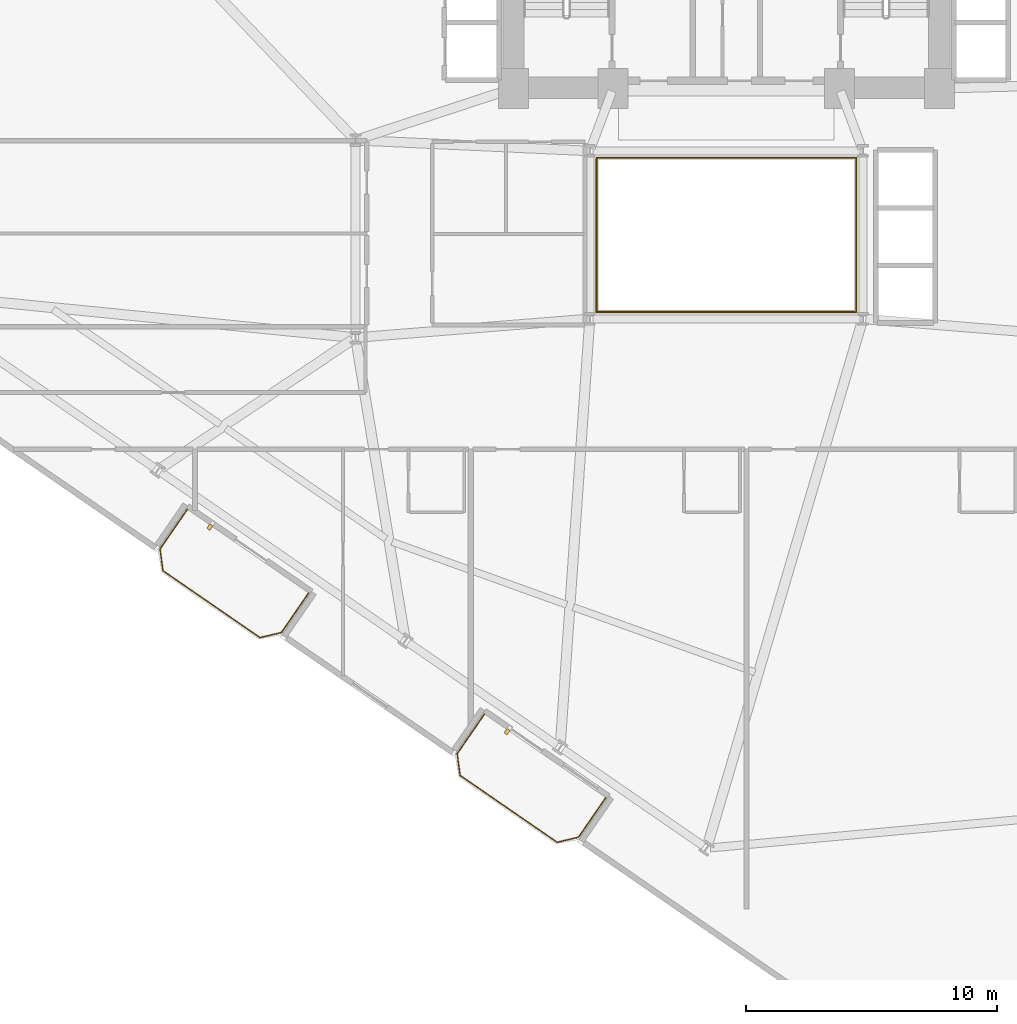
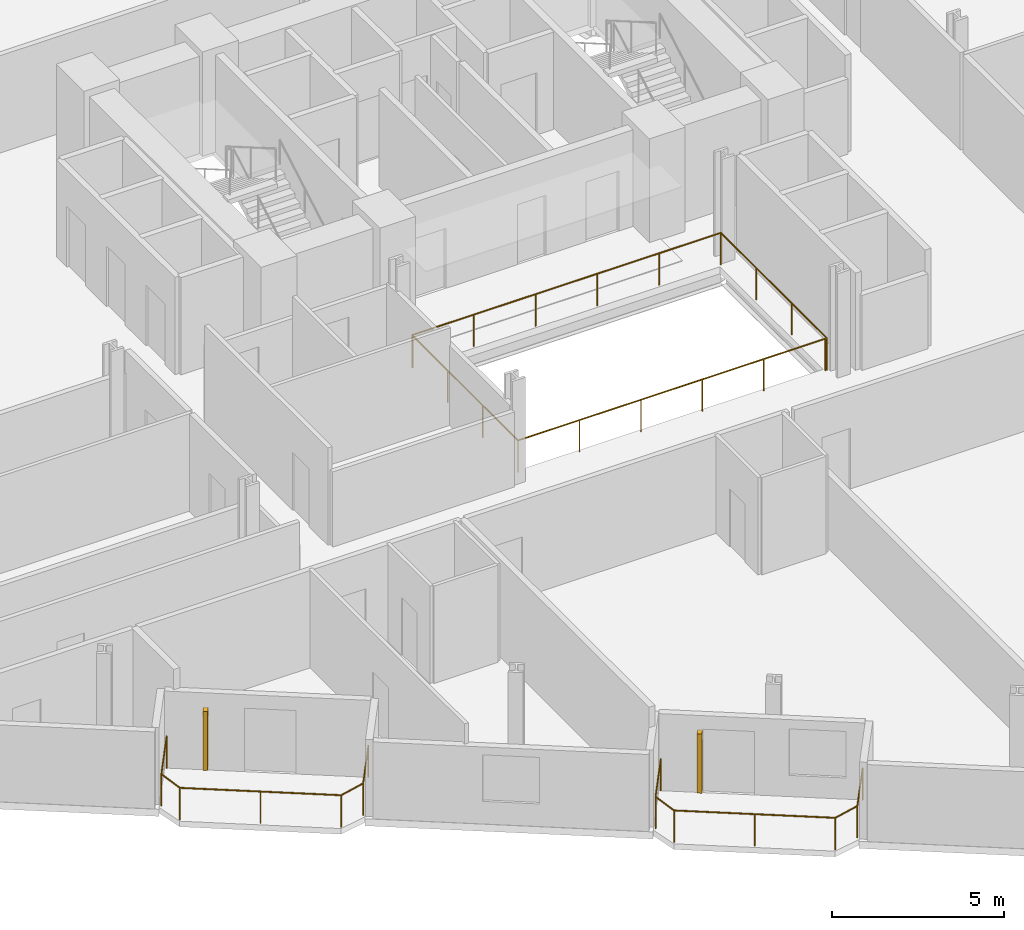
# One storey, part 24 of 26: 4 railings, 2 shading devices.
"""IFC4 building model written with IfcOpenShell, lengths in metres."""

from ifc_helpers import new_model, si_unit, direction, frame, origin, origin_2d, place, context, subcontext, project, spatial, rectangle, circle, extrude, source, transform, mapped, material, type_object, element, save


model = new_model("IFC4")

# Units and contexts
model_context = context("Model", 3, precision=1e-05, world=origin(), true_north=direction((0.0, 1.0)))
body_context = subcontext(model_context, "Body", "Model", "MODEL_VIEW")
ifc_project = project(units=[si_unit("LENGTHUNIT", "METRE"), si_unit("AREAUNIT", "SQUARE_METRE"), si_unit("VOLUMEUNIT", "CUBIC_METRE"), si_unit("PLANEANGLEUNIT", "RADIAN"), si_unit("MASSUNIT", "GRAM", prefix="KILO")], contexts=[model_context])

# Site, building, storey
site_placement = place(None, origin())
site = spatial("IfcSite", under=ifc_project, at=site_placement, CompositionType="ELEMENT")
building_placement = place(site_placement, origin())
building = spatial("IfcBuilding", under=site, at=building_placement, Name="Varnelok Gate Tower", CompositionType="ELEMENT")
storey_placement = place(building_placement, frame((0.0, 0.0, 45.5)))
storey = spatial("IfcBuildingStorey", under=building, at=storey_placement, Name="L10", CompositionType="ELEMENT", Elevation=45.5)

# Railings
ifc_material_1 = material(Name="Tempered Laminated Balustrade Glass", Category="glass")
railing_type_1 = type_object("IfcRailingType", Name="RL-ATR-GUARD1150", PredefinedType="GUARDRAIL", material=ifc_material_1)
railing_1_placement = place(storey_placement, frame((34.02001953125, 25.929931640625, 0.0)))
element("IfcRailing", 1, at=railing_1_placement, inside=storey, type_object=railing_type_1, Name="L10 Internal Atrium South-West Guardrail", PredefinedType="GUARDRAIL", context=body_context, shape_type="SweptSolid", body=[
    extrude(circle(Radius=0.02392578125, at=origin_2d()), frame((0.0, 0.0, 1.1259765625), z_axis=(0.0, -1.0, 0.0), x_axis=(1.0, 0.0, 0.0)), (0.0, 0.0, 1.0), 6.10986328125),
    extrude(circle(Radius=0.02392578125, at=origin_2d()), frame((0.0, -6.10986328125, 1.1259765625), z_axis=(1.0, 0.0, 0.0), x_axis=(0.0, 1.0, 0.0)), (0.0, 0.0, 1.0), 10.31005859375),
    extrude(circle(Radius=0.02099609375, at=origin_2d()), origin(), (0.0, 0.0, 1.0), 1.101806640625),
    extrude(circle(Radius=0.02099609375, at=origin_2d()), frame((0.0, -2.03662109375, 0.0)), (0.0, 0.0, 1.0), 1.101806640625),
    extrude(circle(Radius=0.02099609375, at=origin_2d()), frame((0.0, -4.0732421875, 0.0)), (0.0, 0.0, 1.0), 1.101806640625),
    extrude(circle(Radius=0.02099609375, at=origin_2d()), frame((0.0, -6.10986328125, 0.0)), (0.0, 0.0, 1.0), 1.101806640625),
    extrude(circle(Radius=0.02099609375, at=origin_2d()), frame((2.06201171875, -6.10986328125, 0.0)), (0.0, 0.0, 1.0), 1.101806640625),
    extrude(circle(Radius=0.02099609375, at=origin_2d()), frame((4.1240234375, -6.10986328125, 0.0)), (0.0, 0.0, 1.0), 1.101806640625),
    extrude(circle(Radius=0.02099609375, at=origin_2d()), frame((6.18603515625, -6.10986328125, 0.0)), (0.0, 0.0, 1.0), 1.101806640625),
    extrude(circle(Radius=0.02099609375, at=origin_2d()), frame((8.248046875, -6.10986328125, 0.0)), (0.0, 0.0, 1.0), 1.101806640625),
    extrude(circle(Radius=0.02099609375, at=origin_2d()), frame((10.31005859375, -6.10986328125, 0.0)), (0.0, 0.0, 1.0), 1.101806640625),
])
railing_2_placement = place(storey_placement, frame((44.3798828125, 19.820068359375, 0.0)))
element("IfcRailing", 2, at=railing_2_placement, inside=storey, type_object=railing_type_1, Name="L10 Internal Atrium North-East Guardrail", PredefinedType="GUARDRAIL", context=body_context, shape_type="SweptSolid", body=[
    extrude(circle(Radius=0.02392578125, at=origin_2d()), frame((0.0, 0.0, 1.1259765625), z_axis=(0.0, 1.0, 0.0), x_axis=(-1.0, 0.0, 0.0)), (0.0, 0.0, 1.0), 6.159912109375),
    extrude(circle(Radius=0.02392578125, at=origin_2d()), frame((0.0, 6.159912109375, 1.1259765625), z_axis=(-1.0, 0.0, 0.0), x_axis=(0.0, -1.0, 0.0)), (0.0, 0.0, 1.0), 10.35986328125),
    extrude(circle(Radius=0.02099609375, at=origin_2d()), origin(), (0.0, 0.0, 1.0), 1.101806640625),
    extrude(circle(Radius=0.02099609375, at=origin_2d()), frame((0.0, 2.05322265625, 0.0)), (0.0, 0.0, 1.0), 1.101806640625),
    extrude(circle(Radius=0.02099609375, at=origin_2d()), frame((0.0, 4.106689453125, 0.0)), (0.0, 0.0, 1.0), 1.101806640625),
    extrude(circle(Radius=0.02099609375, at=origin_2d()), frame((0.0, 6.159912109375, 0.0)), (0.0, 0.0, 1.0), 1.101806640625),
    extrude(circle(Radius=0.02099609375, at=origin_2d()), frame((-2.072021484375, 6.159912109375, 0.0)), (0.0, 0.0, 1.0), 1.101806640625),
    extrude(circle(Radius=0.02099609375, at=origin_2d()), frame((-4.14404296875, 6.159912109375, 0.0)), (0.0, 0.0, 1.0), 1.101806640625),
    extrude(circle(Radius=0.02099609375, at=origin_2d()), frame((-6.2158203125, 6.159912109375, 0.0)), (0.0, 0.0, 1.0), 1.101806640625),
    extrude(circle(Radius=0.02099609375, at=origin_2d()), frame((-8.287841796875, 6.159912109375, 0.0)), (0.0, 0.0, 1.0), 1.101806640625),
    extrude(circle(Radius=0.02099609375, at=origin_2d()), frame((-10.35986328125, 6.159912109375, 0.0)), (0.0, 0.0, 1.0), 1.101806640625),
])
ifc_material_2 = material(Name="Low-E Laminated Double Glazing IGU", Category="glass")
railing_type_2 = type_object("IfcRailingType", Name="RL-BALC-1150", PredefinedType="BALUSTRADE", material=ifc_material_2)
railing_3_placement = place(storey_placement, frame((17.688720703125, 11.9462890625, 0.0)))
element("IfcRailing", 3, at=railing_3_placement, inside=storey, type_object=railing_type_2, Name="L10 South Terrace Balustrade 1", PredefinedType="BALUSTRADE", context=body_context, shape_type="SweptSolid", body=[
    extrude(circle(Radius=0.02392578125, at=origin_2d()), frame((0.0, 0.0, 1.1259765625), z_axis=(-0.567224752248, -0.823563039747, 0.0), x_axis=(0.823563039747, -0.567224752248, 0.0)), (0.0, 0.0, 1.0), 1.920166015625),
    extrude(circle(Radius=0.02392578125, at=origin_2d()), frame((-1.089111328125, -1.581298828125, 1.1259765625), z_axis=(0.133511834152, -0.991047218926, 0.0), x_axis=(0.991047218926, 0.133511834152, 0.0)), (0.0, 0.0, 1.0), 0.877685546875),
    extrude(circle(Radius=0.02392578125, at=origin_2d()), frame((-0.971923828125, -2.451171875, 1.1259765625), z_axis=(0.823523239622, -0.567282534371, 0.0), x_axis=(0.567282534371, 0.823523239622, 0.0)), (0.0, 0.0, 1.0), 4.699951171875),
    extrude(circle(Radius=0.02392578125, at=origin_2d()), frame((2.898681640625, -5.117431640625, 1.1259765625), z_axis=(0.973573806257, 0.228372598553, 0.0), x_axis=(-0.228372598553, 0.973573806257, 0.0)), (0.0, 0.0, 1.0), 0.877685546875),
    extrude(circle(Radius=0.02392578125, at=origin_2d()), frame((3.753173828125, -4.9169921875, 1.1259765625), z_axis=(0.567224752248, 0.823563039747, 0.0), x_axis=(-0.823563039747, 0.567224752248, 0.0)), (0.0, 0.0, 1.0), 1.920166015625),
    extrude(circle(Radius=0.02099609375, at=origin_2d()), origin(), (0.0, 0.0, 1.0), 1.101806640625),
    extrude(circle(Radius=0.02099609375, at=origin_2d()), frame((-1.089111328125, -1.581298828125, 0.0)), (0.0, 0.0, 1.0), 1.101806640625),
    extrude(circle(Radius=0.02099609375, at=origin_2d()), frame((-0.971923828125, -2.451171875, 0.0)), (0.0, 0.0, 1.0), 1.101806640625),
    extrude(circle(Radius=0.02099609375, at=origin_2d()), frame((0.96337890625, -3.7841796875, 0.0)), (0.0, 0.0, 1.0), 1.101806640625),
    extrude(circle(Radius=0.02099609375, at=origin_2d()), frame((2.898681640625, -5.117431640625, 0.0)), (0.0, 0.0, 1.0), 1.101806640625),
    extrude(circle(Radius=0.02099609375, at=origin_2d()), frame((3.753173828125, -4.9169921875, 0.0)), (0.0, 0.0, 1.0), 1.101806640625),
    extrude(circle(Radius=0.02099609375, at=origin_2d()), frame((4.84228515625, -3.335693359375, 0.0)), (0.0, 0.0, 1.0), 1.101806640625),
])
railing_4_placement = place(storey_placement, frame((29.547607421875, 3.777587890625, 0.0)))
element("IfcRailing", 4, at=railing_4_placement, inside=storey, type_object=railing_type_2, Name="L10 South Terrace Balustrade 2", PredefinedType="BALUSTRADE", context=body_context, shape_type="SweptSolid", body=[
    extrude(circle(Radius=0.02392578125, at=origin_2d()), frame((0.0, 0.0, 1.1259765625), z_axis=(-0.567224752248, -0.823563039747, 0.0), x_axis=(0.823563039747, -0.567224752248, 0.0)), (0.0, 0.0, 1.0), 1.920166015625),
    extrude(circle(Radius=0.02392578125, at=origin_2d()), frame((-1.089111328125, -1.581298828125, 1.1259765625), z_axis=(0.133511834152, -0.991047218926, 0.0), x_axis=(0.991047218926, 0.133511834152, 0.0)), (0.0, 0.0, 1.0), 0.877685546875),
    extrude(circle(Radius=0.02392578125, at=origin_2d()), frame((-0.971923828125, -2.451171875, 1.1259765625), z_axis=(0.823523239622, -0.567282534371, 0.0), x_axis=(0.567282534371, 0.823523239622, 0.0)), (0.0, 0.0, 1.0), 4.699951171875),
    extrude(circle(Radius=0.02392578125, at=origin_2d()), frame((2.898681640625, -5.117431640625, 1.1259765625), z_axis=(0.973511928193, 0.228636229993, 0.0), x_axis=(-0.228636229993, 0.973511928193, 0.0)), (0.0, 0.0, 1.0), 0.877685546875),
    extrude(circle(Radius=0.02392578125, at=origin_2d()), frame((3.753173828125, -4.916748046875, 1.1259765625), z_axis=(0.567284155424, 0.82352212296, 0.0), x_axis=(-0.82352212296, 0.567284155424, 0.0)), (0.0, 0.0, 1.0), 1.919921875),
    extrude(circle(Radius=0.02099609375, at=origin_2d()), origin(), (0.0, 0.0, 1.0), 1.101806640625),
    extrude(circle(Radius=0.02099609375, at=origin_2d()), frame((-1.089111328125, -1.581298828125, 0.0)), (0.0, 0.0, 1.0), 1.101806640625),
    extrude(circle(Radius=0.02099609375, at=origin_2d()), frame((-0.971923828125, -2.451171875, 0.0)), (0.0, 0.0, 1.0), 1.101806640625),
    extrude(circle(Radius=0.02099609375, at=origin_2d()), frame((0.96337890625, -3.7841796875, 0.0)), (0.0, 0.0, 1.0), 1.101806640625),
    extrude(circle(Radius=0.02099609375, at=origin_2d()), frame((2.898681640625, -5.117431640625, 0.0)), (0.0, 0.0, 1.0), 1.101806640625),
    extrude(circle(Radius=0.02099609375, at=origin_2d()), frame((3.753173828125, -4.916748046875, 0.0)), (0.0, 0.0, 1.0), 1.101806640625),
    extrude(circle(Radius=0.02099609375, at=origin_2d()), frame((4.84228515625, -3.335693359375, 0.0)), (0.0, 0.0, 1.0), 1.101806640625),
])

# Shading devices
ifc_material_3 = material(Name="Glazed Architectural Terracotta Ceramic", Category="masonry")
shading_device_type = type_object("IfcShadingDeviceType", Name="SHD-TERRA-BAGUETTE", PredefinedType="USERDEFINED", material=ifc_material_3)
shared_shape = source(origin(), body_context, "Body", "SweptSolid", [
    extrude(rectangle(XDim=0.139892578125, YDim=0.219970703125, at=origin_2d()), origin(), (0.0, 0.0, 1.0), 2.10009765625),
])
for number, where, z_axis, x_axis, name in (
    (5, (18.587890625, 11.24169921875, 0.099853515625), (0.0, 0.0, 1.0), (0.823532597628, -0.567268949127, 0.0), "L10 Terracotta Ceramic Baguette Sunscreen 1.1"),
    (6, (30.44677734375, 3.072998046875, 0.099853515625), (0.0, 0.0, 1.0), (0.823532597628, -0.567268949127, 0.0), "L10 Terracotta Ceramic Baguette Sunscreen 2.1"),
):
    element("IfcShadingDevice", number, at=place(storey_placement, frame(where, z_axis=z_axis, x_axis=x_axis)), inside=storey, type_object=shading_device_type, Name=name, ObjectType="BAGUETTE", PredefinedType="USERDEFINED", context=body_context, shape_type="MappedRepresentation", body=[
        mapped(shared_shape, transform((0.0, 0.0, 0.0), scale=1.0)),
    ])

save(model, "model.ifc")
